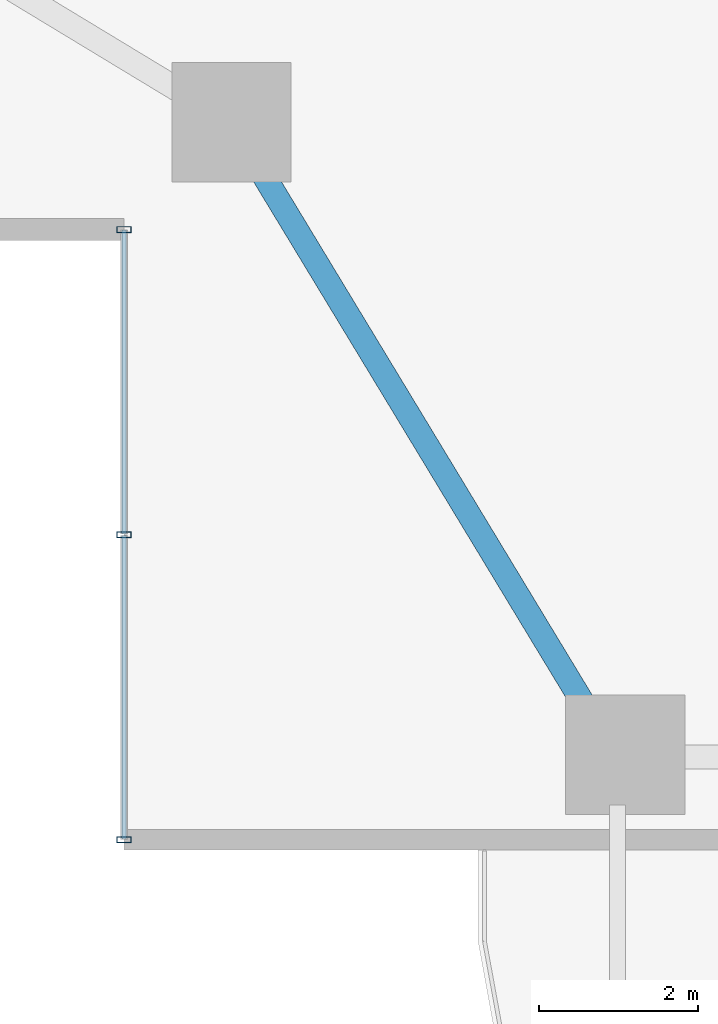
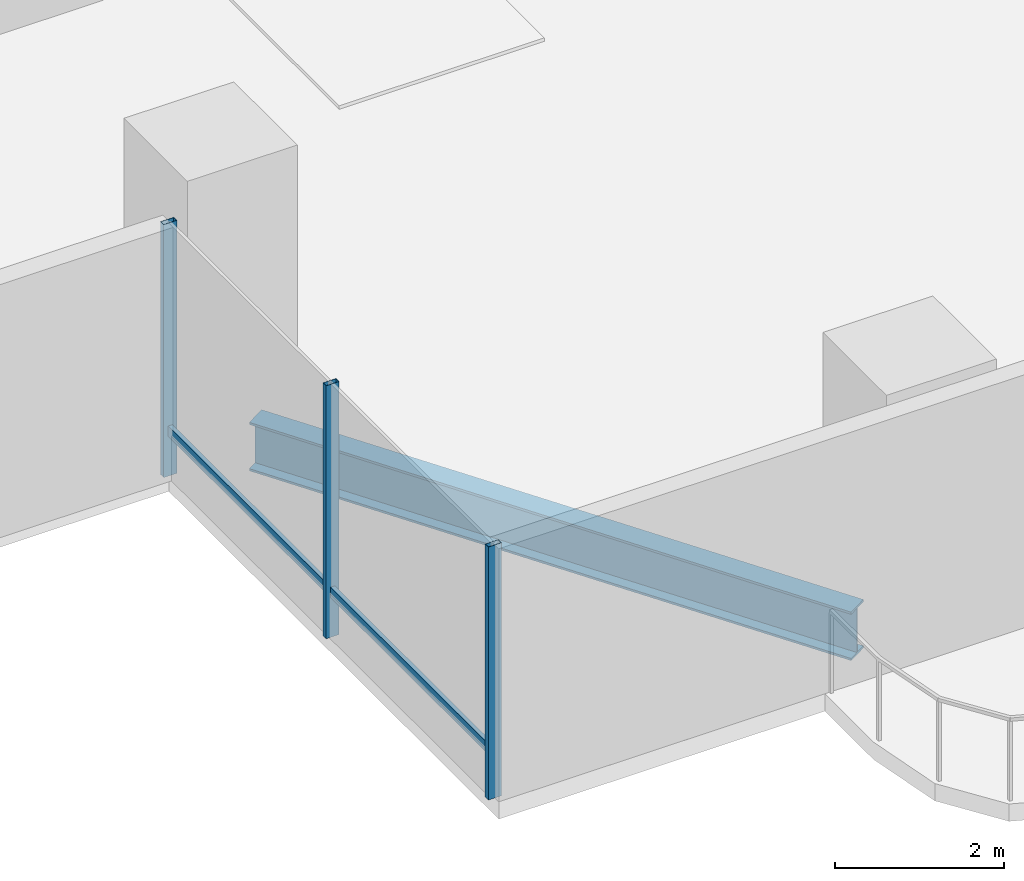
# One storey, part 2 of 30: 5 members, 1 beam, 1 element without a shape of its own.
"""IFC4 building model written with IfcOpenShell, lengths in metres."""

from ifc_helpers import new_model, si_unit, direction, frame, origin, origin_2d, place, context, subcontext, project, spatial, hollow_rectangle, i_section, extrude, material, layer, layer_set, material_profile, profile_set, type_object, element, aggregate, save


model = new_model("IFC4")

# Units and contexts
model_context = context("Model", 3, precision=1e-05, world=origin(), true_north=direction((0.0, 1.0)))
body_context = subcontext(model_context, "Body", "Model", "MODEL_VIEW")
ifc_project = project(units=[si_unit("LENGTHUNIT", "METRE"), si_unit("AREAUNIT", "SQUARE_METRE"), si_unit("VOLUMEUNIT", "CUBIC_METRE"), si_unit("PLANEANGLEUNIT", "RADIAN"), si_unit("MASSUNIT", "GRAM", prefix="KILO")], contexts=[model_context])

# Site, building, storey
site_placement = place(None, origin())
site = spatial("IfcSite", under=ifc_project, at=site_placement, CompositionType="ELEMENT")
building_placement = place(site_placement, origin())
building = spatial("IfcBuilding", under=site, at=building_placement, Name="Belovzor Exchange Tower", CompositionType="ELEMENT")
storey_placement = place(building_placement, frame((0.0, 0.0, 30.0)))
storey = spatial("IfcBuildingStorey", under=building, at=storey_placement, Name="L06", CompositionType="ELEMENT", Elevation=30.0)

# Curtain wall, members
ifc_material_1 = material(Name="Anodised Aluminium Framing", Category="aluminium")
ifc_layer = layer(ifc_material_1, 0.195068359375)
ifc_layer_set = layer_set([ifc_layer], Name="Anodised Aluminium Framing")
curtain_wall_type = type_object("IfcCurtainWallType", Name="Notched Re-Entrant Corner Unitised Curtain Wall", PredefinedType="NOTDEFINED", material=ifc_layer_set)
curtain_wall_placement = place(storey_placement, origin())
curtain_wall = element("IfcCurtainWall", 1, at=curtain_wall_placement, inside=storey, type_object=curtain_wall_type, Name="CW5 Notched Re-Entrant Corner Unitised Curtain Wall L06", PredefinedType="NOTDEFINED")
ifc_material_2 = material(Name="Steel S355", Category="steel")
ifc_material_profile_1 = material_profile(ifc_material_2, hollow_rectangle(XDim=0.074951171875, YDim=0.179931640625, WallThickness=0.0048828125, at=origin_2d()))
ifc_profile_set_1 = profile_set([ifc_material_profile_1], Name="Steel S355")
member_type_1 = type_object("IfcMemberType", Name="Thermally Broken Curtain Wall Mullion 180x75", PredefinedType="MULLION", material=ifc_profile_set_1)
member_1_placement = place(storey_placement, frame((8.699951171875, 1.030029296875, 0.0), z_axis=(0.0, 0.0, 1.0), x_axis=(0.0, 1.0, 0.0)))
member_1 = element("IfcMember", 2, at=member_1_placement, type_object=member_type_1, Name="CW-M180 Curtain Wall Mullion 1", PredefinedType="MULLION", context=body_context, shape_type="SweptSolid", body=[
    extrude(hollow_rectangle(XDim=0.074951171875, YDim=0.179931640625, WallThickness=0.0048828125, at=origin_2d()), origin(), (0.0, 0.0, 1.0), 3.64990234375),
])
member_2_placement = place(storey_placement, frame((8.699951171875, 4.864990234375, 0.0), z_axis=(0.0, 0.0, 1.0), x_axis=(0.0, 1.0, 0.0)))
member_2 = element("IfcMember", 3, at=member_2_placement, type_object=member_type_1, Name="CW-M180 Curtain Wall Mullion 2", PredefinedType="MULLION", context=body_context, shape_type="SweptSolid", body=[
    extrude(hollow_rectangle(XDim=0.074951171875, YDim=0.179931640625, WallThickness=0.0048828125, at=origin_2d()), origin(), (0.0, 0.0, 1.0), 3.64990234375),
])
member_3_placement = place(storey_placement, frame((8.699951171875, 8.699951171875, 0.0), z_axis=(0.0, 0.0, 1.0), x_axis=(0.0, 1.0, 0.0)))
member_3 = element("IfcMember", 4, at=member_3_placement, type_object=member_type_1, Name="CW-M180 Curtain Wall Mullion 3", PredefinedType="MULLION", context=body_context, shape_type="SweptSolid", body=[
    extrude(hollow_rectangle(XDim=0.074951171875, YDim=0.179931640625, WallThickness=0.0048828125, at=origin_2d()), origin(), (0.0, 0.0, 1.0), 3.64990234375),
])
ifc_material_3 = material(Name="Steel S355", Category="steel")
ifc_material_profile_2 = material_profile(ifc_material_3, hollow_rectangle(XDim=0.06005859375, YDim=0.14990234375, WallThickness=0.00390625, at=origin_2d()))
ifc_profile_set_2 = profile_set([ifc_material_profile_2], Name="Steel S355")
member_type_2 = type_object("IfcMemberType", Name="Thermally Broken Curtain Wall Transom 150x60", PredefinedType="USERDEFINED", material=ifc_profile_set_2)
member_4_placement = place(storey_placement, frame((8.699951171875, 1.0380859375, 0.64990234375), z_axis=(0.0, 1.0, 0.0), x_axis=(-1.0, 0.0, 0.0)))
member_4 = element("IfcMember", 5, at=member_4_placement, type_object=member_type_2, Name="CW-T150 Curtain Wall Transom 1", ObjectType="TRANSOM", PredefinedType="USERDEFINED", context=body_context, shape_type="SweptSolid", body=[
    extrude(hollow_rectangle(XDim=0.06005859375, YDim=0.14990234375, WallThickness=0.00390625, at=origin_2d()), origin(), (0.0, 0.0, 1.0), 3.81884765625),
])
member_5_placement = place(storey_placement, frame((8.699951171875, 4.873046875, 0.64990234375), z_axis=(0.0, 1.0, 0.0), x_axis=(-1.0, 0.0, 0.0)))
member_5 = element("IfcMember", 6, at=member_5_placement, type_object=member_type_2, Name="CW-T150 Curtain Wall Transom 2", ObjectType="TRANSOM", PredefinedType="USERDEFINED", context=body_context, shape_type="SweptSolid", body=[
    extrude(hollow_rectangle(XDim=0.06005859375, YDim=0.14990234375, WallThickness=0.00390625, at=origin_2d()), origin(), (0.0, 0.0, 1.0), 3.81884765625),
])
aggregate(curtain_wall, [member_1, member_2, member_3, member_4, member_5])

# Beam
ifc_material_4 = material(Name="Steel S355", Category="steel")
ifc_material_profile_3 = material_profile(ifc_material_4, i_section(OverallWidth=0.300048828125, OverallDepth=0.699951171875, WebThickness=0.01708984375, FlangeThickness=0.031982421875, at=origin_2d()))
ifc_profile_set_3 = profile_set([ifc_material_profile_3], Name="Steel S355")
beam_type = type_object("IfcBeamType", Name="Zone 1 Primary Perimeter Girder HEB 700", PredefinedType="BEAM", material=ifc_profile_set_3)
beam_placement = place(storey_placement, frame((10.363037109375, 9.531982421875, -0.60009765625), z_axis=(0.517879719587, -0.855453444695, 0.0), x_axis=(0.855453444695, 0.517879719587, 0.0)))
element("IfcBeam", 7, at=beam_placement, inside=storey, type_object=beam_type, Name="FG-Z1 Zone 1 Primary Perimeter Girder HEB 700", PredefinedType="BEAM", context=body_context, shape_type="SweptSolid", body=[
    extrude(i_section(OverallWidth=0.300048828125, OverallDepth=0.699951171875, WebThickness=0.01708984375, FlangeThickness=0.031982421875, at=origin_2d()), origin(), (0.0, 0.0, 1.0), 8.117431640625),
])

save(model, "model.ifc")
